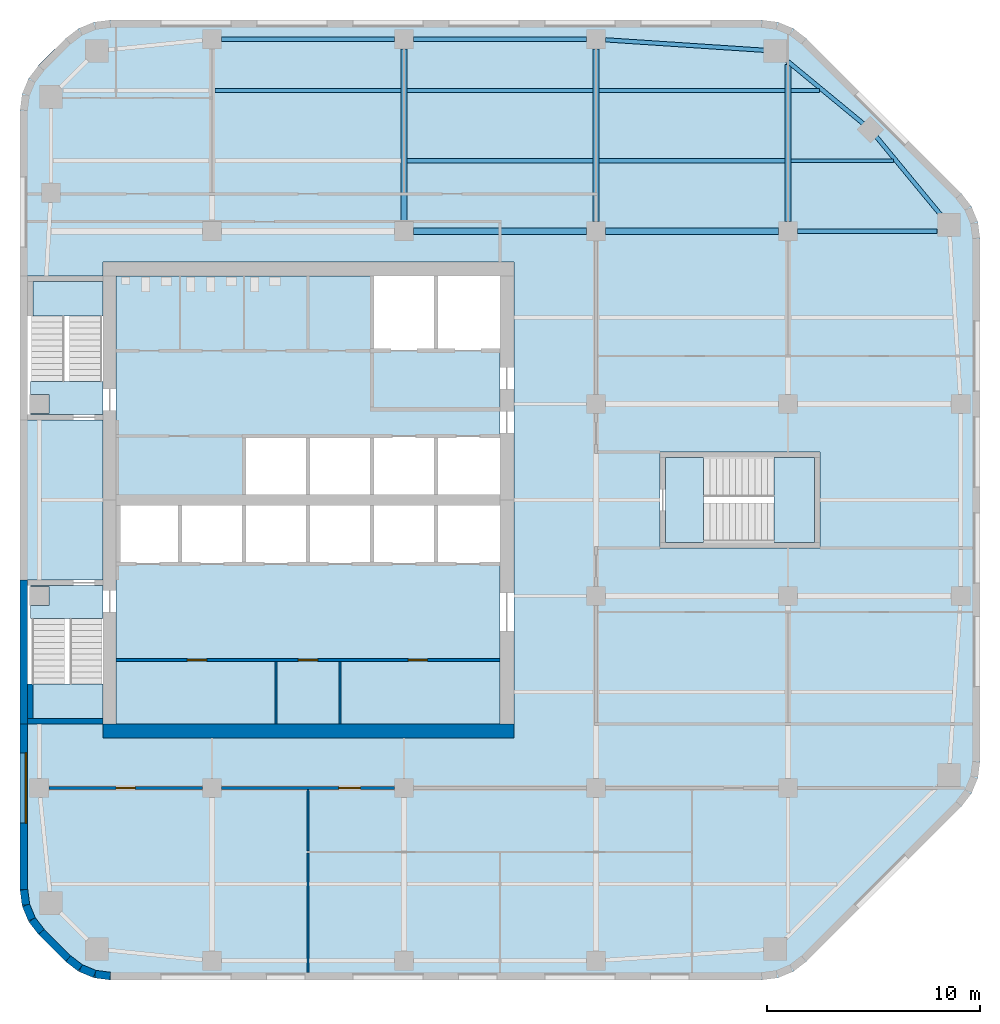
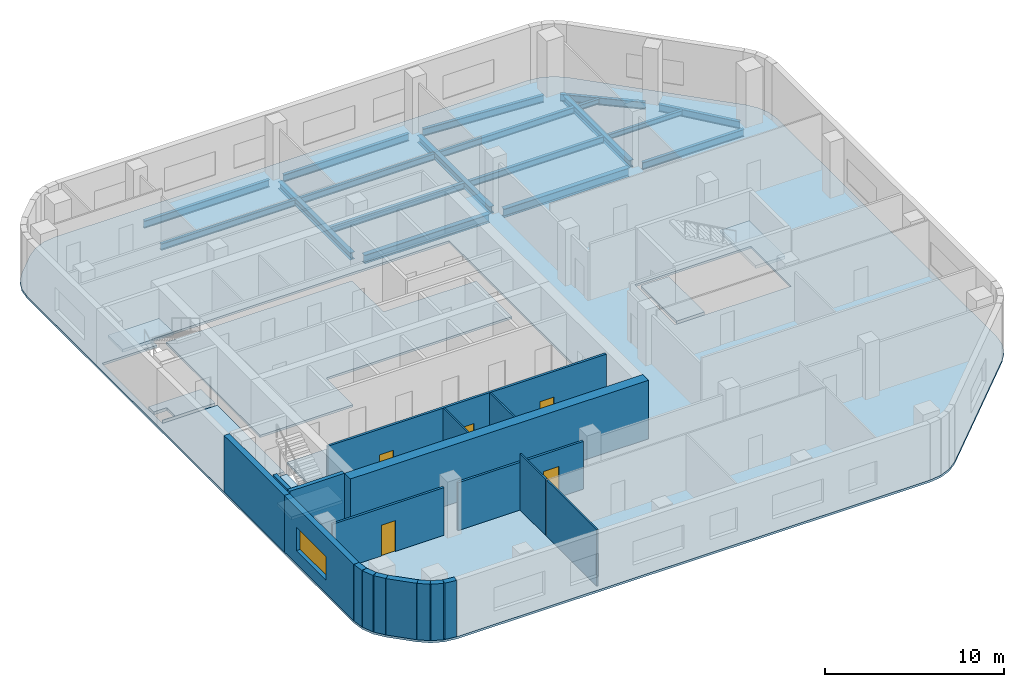
# One storey, part 2 of 8: 19 walls, 18 beams, 9 slabs, 5 doors, 1 window, 6 openings, 3 elements without a shape of their own.
"""IFC4 building model written with IfcOpenShell, lengths in metres."""

from ifc_helpers import new_model, si_unit, direction, frame, frame_2d, origin, origin_2d, place, context, subcontext, project, spatial, polyline, rectangle, i_section, outline, extrude, material, layer, layer_set, material_profile, profile_set, type_object, element, fill, aggregate, save


model = new_model("IFC4")

# Units and contexts
model_context = context("Model", 3, precision=1e-05, world=origin(), true_north=direction((0.0, 1.0)))
body_context = subcontext(model_context, "Body", "Model", "MODEL_VIEW")
ifc_project = project(units=[si_unit("LENGTHUNIT", "METRE"), si_unit("AREAUNIT", "SQUARE_METRE"), si_unit("VOLUMEUNIT", "CUBIC_METRE"), si_unit("PLANEANGLEUNIT", "RADIAN"), si_unit("MASSUNIT", "GRAM", prefix="KILO")], contexts=[model_context])

# Site, building, storey
site_placement = place(None, origin())
site = spatial("IfcSite", under=ifc_project, at=site_placement, CompositionType="ELEMENT")
building_placement = place(site_placement, origin())
building = spatial("IfcBuilding", under=site, at=building_placement, Name="Cinnabar Reach Civic Tower", CompositionType="ELEMENT")
storey_placement = place(building_placement, frame((0.0, 0.0, 161.0)))
storey = spatial("IfcBuildingStorey", under=building, at=storey_placement, Name="L38", CompositionType="ELEMENT", Elevation=161.0)

# Beams
ifc_material_1 = material(Name="Steel Q355B", Category="steel")
ifc_material_profile_1 = material_profile(ifc_material_1, i_section(OverallWidth=0.3, OverallDepth=0.488, WebThickness=0.011, FlangeThickness=0.018, FilletRadius=0.016, at=origin_2d()), Name="HM488x300x11x18")
ifc_profile_set_1 = profile_set([ifc_material_profile_1], Name="Steel Q355B")
beam_type_1 = type_object("IfcBeamType", Name="HM488x300x11x18 beam R 180", PredefinedType="BEAM", material=ifc_profile_set_1)
for number, where, z_axis, x_axis, name in (
    (1, (18.0, 44.552, -0.394), (0.0, 1.0, 0.0), (-1.0, 0.0, 0.0), "Girder T1 L38 6"),
    (2, (27.0, 44.552, -0.394), (0.0, 1.0, 0.0), (-1.0, 0.0, 0.0), "Girder T1 L38 11"),
):
    element("IfcBeam", number, at=place(storey_placement, frame(where, z_axis=z_axis, x_axis=x_axis)), inside=storey, type_object=beam_type_1, Name=name, PredefinedType="BEAM", context=body_context, shape_type="SweptSolid", body=[
        extrude(i_section(OverallWidth=0.3, OverallDepth=0.488, WebThickness=0.011, FlangeThickness=0.018, FilletRadius=0.016, at=origin_2d()), origin(), (0.0, 0.0, 1.0), 8.096),
    ])
beam_1_placement = place(storey_placement, frame((36.0, 44.552, -0.394), z_axis=(0.0, 1.0, 0.0), x_axis=(-1.0, 0.0, 0.0)))
element("IfcBeam", 3, at=beam_1_placement, inside=storey, type_object=beam_type_1, Name="Girder T1 L38 17", PredefinedType="BEAM", context=body_context, shape_type="SweptSolid", body=[
    extrude(i_section(OverallWidth=0.3, OverallDepth=0.488, WebThickness=0.011, FlangeThickness=0.018, FilletRadius=0.016, at=origin_2d()), origin(), (0.0, 0.0, 1.0), 7.3662),
])
ifc_material_profile_2 = material_profile(ifc_material_1, i_section(OverallWidth=0.3, OverallDepth=0.588, WebThickness=0.012, FlangeThickness=0.02, FilletRadius=0.016, at=origin_2d()), Name="HM588x300x12x20")
ifc_profile_set_2 = profile_set([ifc_material_profile_2], Name="Steel Q355B")
beam_type_2 = type_object("IfcBeamType", Name="HM588x300x12x20 beam R 180", PredefinedType="BEAM", material=ifc_profile_set_2)
for number, where, z_axis, x_axis, name in (
    (4, (18.452, 44.1, -0.444), (1.0, 0.0, 0.0), (0.0, 1.0, 0.0), "Girder T1 L38 14"),
    (5, (27.452, 44.1, -0.444), (1.0, 0.0, 0.0), (0.0, 1.0, 0.0), "Girder T1 L38 15"),
):
    element("IfcBeam", number, at=place(storey_placement, frame(where, z_axis=z_axis, x_axis=x_axis)), inside=storey, type_object=beam_type_2, Name=name, PredefinedType="BEAM", context=body_context, shape_type="SweptSolid", body=[
        extrude(i_section(OverallWidth=0.3, OverallDepth=0.588, WebThickness=0.012, FlangeThickness=0.02, FilletRadius=0.016, at=origin_2d()), origin(), (0.0, 0.0, 1.0), 8.096),
    ])
ifc_material_profile_3 = material_profile(ifc_material_1, i_section(OverallWidth=0.175, OverallDepth=0.35, WebThickness=0.007, FlangeThickness=0.011, FilletRadius=0.013, at=origin_2d()), Name="HN350x175x7x11")
ifc_profile_set_3 = profile_set([ifc_material_profile_3], Name="Steel Q355B")
beam_type_3 = type_object("IfcBeamType", Name="HN350x175x7x11 beam R 180", PredefinedType="BEAM", material=ifc_profile_set_3)
beam_2_placement = place(storey_placement, frame((36.152, 47.4, -0.325), z_axis=(1.0, 0.0, 0.0), x_axis=(0.0, 1.0, 0.0)))
element("IfcBeam", 6, at=beam_2_placement, inside=storey, type_object=beam_type_3, Name="Secondary beam T1 L38 20", PredefinedType="BEAM", context=body_context, shape_type="SweptSolid", body=[
    extrude(i_section(OverallWidth=0.175, OverallDepth=0.35, WebThickness=0.007, FlangeThickness=0.011, FilletRadius=0.013, at=origin_2d()), origin(), (0.0, 0.0, 1.0), 4.7866),
])
beam_3_placement = place(storey_placement, frame((36.152, 50.7, -0.325), z_axis=(1.0, 0.0, 0.0), x_axis=(0.0, 1.0, 0.0)))
element("IfcBeam", 7, at=beam_3_placement, inside=storey, type_object=beam_type_3, Name="Secondary beam T1 L38 25", PredefinedType="BEAM", context=body_context, shape_type="SweptSolid", body=[
    extrude(i_section(OverallWidth=0.175, OverallDepth=0.35, WebThickness=0.007, FlangeThickness=0.011, FilletRadius=0.013, at=origin_2d()), origin(), (0.0, 0.0, 1.0), 1.3249),
])
ifc_material_profile_4 = material_profile(ifc_material_1, i_section(OverallWidth=0.2, OverallDepth=0.45, WebThickness=0.009, FlangeThickness=0.014, FilletRadius=0.016, at=origin_2d()), Name="HN450x200x9x14")
ifc_profile_set_4 = profile_set([ifc_material_profile_4], Name="Steel Q355B")
beam_type_4 = type_object("IfcBeamType", Name="HN450x200x9x14 beam R 180", PredefinedType="BEAM", material=ifc_profile_set_4)
for number, where, z_axis, x_axis, name in (
    (8, (18.152, 47.4, -0.375), (1.0, 0.0, 0.0), (0.0, 1.0, 0.0), "Secondary beam T1 L38 18"),
    (9, (27.152, 47.4, -0.375), (1.0, 0.0, 0.0), (0.0, 1.0, 0.0), "Secondary beam T1 L38 19"),
    (10, (9.152, 50.7, -0.375), (1.0, 0.0, 0.0), (0.0, 1.0, 0.0), "Secondary beam T1 L38 22"),
    (11, (18.152, 50.7, -0.375), (1.0, 0.0, 0.0), (0.0, 1.0, 0.0), "Secondary beam T1 L38 23"),
    (12, (27.152, 50.7, -0.375), (1.0, 0.0, 0.0), (0.0, 1.0, 0.0), "Secondary beam T1 L38 24"),
):
    element("IfcBeam", number, at=place(storey_placement, frame(where, z_axis=z_axis, x_axis=x_axis)), inside=storey, type_object=beam_type_4, Name=name, PredefinedType="BEAM", context=body_context, shape_type="SweptSolid", body=[
        extrude(i_section(OverallWidth=0.2, OverallDepth=0.45, WebThickness=0.009, FlangeThickness=0.014, FilletRadius=0.016, at=origin_2d()), origin(), (0.0, 0.0, 1.0), 8.696),
    ])
ifc_material_profile_5 = material_profile(ifc_material_1, i_section(OverallWidth=0.2, OverallDepth=0.5, WebThickness=0.01, FlangeThickness=0.016, FilletRadius=0.016, at=origin_2d()), Name="HN500x200x10x16")
ifc_profile_set_5 = profile_set([ifc_material_profile_5], Name="Steel Q355B")
beam_type_5 = type_object("IfcBeamType", Name="HN500x200x10x16 beam R 180", PredefinedType="BEAM", material=ifc_profile_set_5)
for number, where, z_axis, x_axis, name in (
    (13, (43.1906, 44.8301, -0.4), (-0.63630880182, 0.771434448755, 0.0), (-0.771434448755, -0.63630880182, 0.0), "Edge beam T1 L38 9"),
    (14, (39.5598, 49.1142, -0.4), (-0.771434448755, 0.63630880182, 0.0), (-0.63630880182, -0.771434448755, 0.0), "Edge beam T1 L38 10"),
):
    element("IfcBeam", number, at=place(storey_placement, frame(where, z_axis=z_axis, x_axis=x_axis)), inside=storey, type_object=beam_type_5, Name=name, PredefinedType="BEAM", context=body_context, shape_type="SweptSolid", body=[
        extrude(i_section(OverallWidth=0.2, OverallDepth=0.5, WebThickness=0.01, FlangeThickness=0.016, FilletRadius=0.016, at=origin_2d()), origin(), (0.0, 0.0, 1.0), 4.8348),
    ])
beam_4_placement = place(storey_placement, frame((34.9661, 52.5754, -0.4), z_axis=(-0.99783894477, 0.065707231721, 0.0), x_axis=(-0.065707231721, -0.99783894477, 0.0)))
element("IfcBeam", 15, at=beam_4_placement, inside=storey, type_object=beam_type_5, Name="Edge beam T1 L38 11", PredefinedType="BEAM", context=body_context, shape_type="SweptSolid", body=[
    extrude(i_section(OverallWidth=0.2, OverallDepth=0.5, WebThickness=0.01, FlangeThickness=0.016, FilletRadius=0.016, at=origin_2d()), origin(), (0.0, 0.0, 1.0), 7.5304),
])
for number, where, z_axis, x_axis, name in (
    (16, (26.548, 53.1, -0.4), (-1.0, 0.0, 0.0), (0.0, -1.0, 0.0), "Edge beam T1 L38 12"),
    (17, (17.548, 53.1, -0.4), (-1.0, 0.0, 0.0), (0.0, -1.0, 0.0), "Edge beam T1 L38 13"),
):
    element("IfcBeam", number, at=place(storey_placement, frame(where, z_axis=z_axis, x_axis=x_axis)), inside=storey, type_object=beam_type_5, Name=name, PredefinedType="BEAM", context=body_context, shape_type="SweptSolid", body=[
        extrude(i_section(OverallWidth=0.2, OverallDepth=0.5, WebThickness=0.01, FlangeThickness=0.016, FilletRadius=0.016, at=origin_2d()), origin(), (0.0, 0.0, 1.0), 8.096),
    ])
beam_5_placement = place(storey_placement, frame((36.452, 44.1, -0.4), z_axis=(1.0, 0.0, 0.0), x_axis=(0.0, 1.0, 0.0)))
element("IfcBeam", 18, at=beam_5_placement, inside=storey, type_object=beam_type_5, Name="Girder T1 L38 16", PredefinedType="BEAM", context=body_context, shape_type="SweptSolid", body=[
    extrude(i_section(OverallWidth=0.2, OverallDepth=0.5, WebThickness=0.01, FlangeThickness=0.016, FilletRadius=0.016, at=origin_2d()), origin(), (0.0, 0.0, 1.0), 6.5429),
])

# Slab
ifc_material_2 = material(Name="Concrete C40", Category="concrete")
ifc_layer_1 = layer(ifc_material_2, 0.15)
ifc_layer_set_1 = layer_set([ifc_layer_1], Name="Composite floor slab 150 REI 150")
slab_type_1 = type_object("IfcSlabType", Name="Composite floor slab 150 REI 150", PredefinedType="FLOOR", material=ifc_layer_set_1)
slab_1_placement = place(storey_placement, frame((0.0, 0.0, -0.15)))
element("IfcSlab", 19, at=slab_1_placement, inside=storey, type_object=slab_type_1, Name="Composite floor slab 150 T1 L38", PredefinedType="FLOOR", context=body_context, shape_type="SweptSolid", body=[
    extrude(outline(polyline([(0.8787, 11.1213), (0.4019, 11.7426), (0.1022, 12.4662), (0.0, 13.2426), (0.0, 49.7574), (0.1022, 50.5338), (0.4019, 51.2574), (0.8787, 51.8787), (2.1213, 53.1213), (2.7426, 53.5981), (3.4662, 53.8978), (4.2426, 54.0), (34.7574, 54.0), (35.5338, 53.8978), (36.2574, 53.5981), (36.8787, 53.1213), (44.1213, 45.8787), (44.5981, 45.2574), (44.8978, 44.5338), (45.0, 43.7574), (45.0, 19.2426), (44.8978, 18.4662), (44.5981, 17.7426), (44.1213, 17.1213), (36.8787, 9.8787), (36.2574, 9.4019), (35.5338, 9.1022), (34.7574, 9.0), (4.2426, 9.0), (3.4662, 9.1022), (2.7426, 9.4019), (2.1213, 9.8787), (0.8787, 11.1213)]), holes=[polyline([(0.36, 21.0), (3.9, 21.0), (3.9, 20.35), (23.15, 20.35), (23.15, 42.65), (3.9, 42.65), (3.9, 42.0), (0.36, 42.0), (0.36, 35.25), (3.9, 35.25), (3.9, 27.75), (0.36, 27.75), (0.36, 21.0)]), polyline([(30.0, 33.75), (30.0, 29.25), (37.5, 29.25), (37.5, 33.75), (30.0, 33.75)])]), origin(), (0.0, 0.0, 1.0), 0.15),
])

# Stair, slabs
ifc_material_3 = material(Name="Concrete C40/50", Category="concrete")
stair_type = type_object("IfcStairType", Name="T1 Exit stair, half-turn", PredefinedType="HALF_TURN_STAIR", material=ifc_material_3)
stair_1_placement = place(storey_placement, origin())
stair_1 = element("IfcStair", 20, at=stair_1_placement, inside=storey, type_object=stair_type, Name="Stair T1-S1", PredefinedType="HALF_TURN_STAIR")
ifc_layer_2 = layer(ifc_material_3, 0.2)
ifc_layer_set_2 = layer_set([ifc_layer_2], Name="T1 Stair landing 200, Concrete C40/50")
slab_type_2 = type_object("IfcSlabType", Name="T1 Stair landing 200, Concrete C40/50", PredefinedType="LANDING", material=ifc_layer_set_2)
slab_2_placement = place(storey_placement, frame((0.0, 0.0, -0.2)))
slab_2 = element("IfcSlab", 21, at=slab_2_placement, type_object=slab_type_2, Name="T1-S1 landing 1", PredefinedType="LANDING", context=body_context, shape_type="SweptSolid", body=[
    extrude(outline(polyline([(0.5, 27.5), (3.9, 27.5), (3.9, 25.95), (0.5, 25.95), (0.5, 26.55), (1.35, 26.55), (1.35, 27.45), (0.5, 27.45), (0.5, 27.5)])), origin(), (0.0, 0.0, 1.0), 0.2),
])
slab_3_placement = place(storey_placement, frame((0.0, 0.0, 1.8)))
slab_3 = element("IfcSlab", 22, at=slab_3_placement, type_object=slab_type_2, Name="T1-S1 landing 2", PredefinedType="LANDING", context=body_context, shape_type="SweptSolid", body=[
    extrude(outline(polyline([(0.6, 21.25), (0.6, 22.87), (3.9, 22.87), (3.9, 21.25), (0.6, 21.25)])), origin(), (0.0, 0.0, 1.0), 0.2),
])
aggregate(stair_1, [slab_2, slab_3])

stair_2_placement = place(storey_placement, origin())
stair_2 = element("IfcStair", 23, at=stair_2_placement, inside=storey, type_object=stair_type, Name="Stair T1-S2", PredefinedType="HALF_TURN_STAIR")
slab_4_placement = place(storey_placement, frame((0.0, 0.0, -0.2)))
slab_4 = element("IfcSlab", 24, at=slab_4_placement, type_object=slab_type_2, Name="T1-S2 landing 1", PredefinedType="LANDING", context=body_context, shape_type="SweptSolid", body=[
    extrude(outline(polyline([(0.5, 37.05), (3.9, 37.05), (3.9, 35.5), (0.5, 35.5), (0.5, 35.55), (1.35, 35.55), (1.35, 36.45), (0.5, 36.45), (0.5, 37.05)])), origin(), (0.0, 0.0, 1.0), 0.2),
])
slab_5_placement = place(storey_placement, frame((0.0, 0.0, 1.8)))
slab_5 = element("IfcSlab", 25, at=slab_5_placement, type_object=slab_type_2, Name="T1-S2 landing 2", PredefinedType="LANDING", context=body_context, shape_type="SweptSolid", body=[
    extrude(outline(polyline([(0.6, 40.13), (0.6, 41.75), (3.9, 41.75), (3.9, 40.13), (0.6, 40.13)])), origin(), (0.0, 0.0, 1.0), 0.2),
])
aggregate(stair_2, [slab_4, slab_5])

stair_3_placement = place(storey_placement, origin())
stair_3 = element("IfcStair", 26, at=stair_3_placement, inside=storey, type_object=stair_type, Name="Stair T1-S3", PredefinedType="HALF_TURN_STAIR")
slab_6_placement = place(storey_placement, frame((0.0, 0.0, -0.2)))
slab_6 = element("IfcSlab", 27, at=slab_6_placement, type_object=slab_type_2, Name="T1-S3 landing 1", PredefinedType="LANDING", context=body_context, shape_type="SweptSolid", body=[
    extrude(outline(polyline([(30.25, 29.5), (32.05, 29.5), (32.05, 33.5), (30.25, 33.5), (30.25, 29.5)])), origin(), (0.0, 0.0, 1.0), 0.2),
])
slab_7_placement = place(storey_placement, frame((0.0, 0.0, 1.8)))
slab_7 = element("IfcSlab", 28, at=slab_7_placement, type_object=slab_type_2, Name="T1-S3 landing 2", PredefinedType="LANDING", context=body_context, shape_type="SweptSolid", body=[
    extrude(outline(polyline([(35.35, 29.5), (37.25, 29.5), (37.25, 33.5), (35.35, 33.5), (35.35, 29.5)])), origin(), (0.0, 0.0, 1.0), 0.2),
])
aggregate(stair_3, [slab_6, slab_7])

# Slabs
ifc_layer_3 = layer(ifc_material_3, 0.15)
ifc_layer_set_3 = layer_set([ifc_layer_3], Name="T1 core floor slab 150")
slab_type_3 = type_object("IfcSlabType", Name="T1 core floor slab 150", PredefinedType="FLOOR", material=ifc_layer_set_3)
slab_8_placement = place(storey_placement, frame((0.0, 0.0, -0.15)))
element("IfcSlab", 29, at=slab_8_placement, inside=storey, type_object=slab_type_3, Name="Core floor slab L38", PredefinedType="FLOOR", context=body_context, shape_type="SweptSolid", body=[
    extrude(outline(polyline([(22.5, 21.0), (4.5, 21.0), (4.5, 28.5), (7.5, 28.5), (10.5, 28.5), (13.5, 28.5), (16.5, 28.5), (19.5, 28.5), (22.5, 28.5), (22.5, 21.0)])), origin(), (0.0, 0.0, 1.0), 0.15),
])
slab_9_placement = place(storey_placement, frame((0.0, 0.0, -0.15)))
element("IfcSlab", 30, at=slab_9_placement, inside=storey, type_object=slab_type_3, Name="Core floor slab L38", PredefinedType="FLOOR", context=body_context, shape_type="SweptSolid", body=[
    extrude(outline(polyline([(22.5, 34.5), (19.5, 34.5), (16.5, 34.5), (13.5, 34.5), (10.5, 34.5), (10.5, 31.5), (7.5, 31.5), (4.5, 31.5), (4.5, 42.0), (16.5, 42.0), (16.5, 38.5), (19.5, 38.5), (22.5, 38.5), (22.5, 34.5)])), origin(), (0.0, 0.0, 1.0), 0.15),
])

# Walls
ifc_material_4 = material(Name="Facing brick with insulated backing", Category="masonry")
ifc_layer_4 = layer(ifc_material_4, 0.36)
ifc_layer_set_4 = layer_set([ifc_layer_4], Name="Brick corner wall")
wall_type_1 = type_object("IfcWallType", Name="Brick corner wall", PredefinedType="STANDARD", material=ifc_layer_set_4)
for number, where, z_axis, x_axis, name in (
    (31, (0.183, 13.2314, 0.0), (0.0, 0.0, 1.0), (0.13055608231, -0.99144092581, 0.0), "Brick corner wall"),
    (32, (0.2819, 12.5027, 0.0), (0.0, 0.0, 1.0), (0.382702709855, -0.923871547278, 0.0), "Brick corner wall"),
):
    element("IfcWall", number, at=place(storey_placement, frame(where, z_axis=z_axis, x_axis=x_axis)), inside=storey, type_object=wall_type_1, Name=name, PredefinedType="STANDARD", context=body_context, shape_type="SweptSolid", body=[
        extrude(rectangle(XDim=0.7131, YDim=0.36, at=frame_2d((0.3565, 0.0))), origin(), (0.0, 0.0, 1.0), 3.85),
    ])
for number, where, z_axis, x_axis, name in (
    (33, (0.566, 11.8245, 0.0), (0.0, 0.0, 1.0), (0.608802368033, -0.793321924995, 0.0), "Brick corner wall"),
    (34, (2.2587, 10.0002, 0.0), (0.0, 0.0, 1.0), (0.793321924995, -0.608802368033, 0.0), "Brick corner wall"),
):
    element("IfcWall", number, at=place(storey_placement, frame(where, z_axis=z_axis, x_axis=x_axis)), inside=storey, type_object=wall_type_1, Name=name, PredefinedType="STANDARD", context=body_context, shape_type="SweptSolid", body=[
        extrude(rectangle(XDim=0.7132, YDim=0.36, at=frame_2d((0.3566, 0.0))), origin(), (0.0, 0.0, 1.0), 3.85),
    ])
for number, where, z_axis, x_axis, name in (
    (35, (2.8439, 9.5548, 0.0), (0.0, 0.0, 1.0), (0.923871547278, -0.382702709855, 0.0), "Brick corner wall"),
    (36, (3.5244, 9.2761, 0.0), (0.0, 0.0, 1.0), (0.99144092581, -0.13055608231, 0.0), "Brick corner wall"),
):
    element("IfcWall", number, at=place(storey_placement, frame(where, z_axis=z_axis, x_axis=x_axis)), inside=storey, type_object=wall_type_1, Name=name, PredefinedType="STANDARD", context=body_context, shape_type="SweptSolid", body=[
        extrude(rectangle(XDim=0.7131, YDim=0.36, at=frame_2d((0.3565, 0.0))), origin(), (0.0, 0.0, 1.0), 3.85),
    ])
ifc_layer_5 = layer(ifc_material_4, 0.36)
ifc_layer_set_5 = layer_set([ifc_layer_5], Name="Brick pier and spandrel wall")
wall_type_2 = type_object("IfcWallType", Name="Brick pier and spandrel wall", PredefinedType="STANDARD", material=ifc_layer_set_5)
wall_1_placement = place(storey_placement, frame((0.18, 27.75, 0.0), z_axis=(0.0, 0.0, 1.0), x_axis=(0.0, -1.0, 0.0)))
element("IfcWall", 37, at=wall_1_placement, inside=storey, type_object=wall_type_2, Name="Brick facade wall", PredefinedType="STANDARD", context=body_context, shape_type="SweptSolid", body=[
    extrude(rectangle(XDim=6.75, YDim=0.36, at=frame_2d((3.375, 0.0))), origin(), (0.0, 0.0, 1.0), 3.85),
])

# Wall, opening, window
wall_2_placement = place(storey_placement, frame((0.18, 21.0, 0.0), z_axis=(0.0, 0.0, 1.0), x_axis=(0.0, -1.0, 0.0)))
wall_2 = element("IfcWall", 38, at=wall_2_placement, inside=storey, type_object=wall_type_2, Name="Brick facade wall", PredefinedType="STANDARD", context=body_context, shape_type="SweptSolid", body=[
    extrude(rectangle(XDim=7.7574, YDim=0.36, at=frame_2d((3.8787, 0.0))), origin(), (0.0, 0.0, 1.0), 3.85),
])
opening_1_placement = place(wall_2_placement, frame((1.35, 0.0, 0.9)))
opening_1 = element("IfcOpeningElement", 39, at=opening_1_placement, cuts=wall_2, Name="Opening W1800", PredefinedType="OPENING", context=body_context, shape_type="SweptSolid", body=[
    extrude(rectangle(XDim=3.3, YDim=1.6, at=frame_2d((1.65, 0.8))), frame((0.0, 0.19, 0.0), z_axis=(0.0, -1.0, 0.0), x_axis=(1.0, 0.0, 0.0)), (0.0, 0.0, 1.0), 0.38),
])
ifc_material_5 = material(Name="Clear double glazing in aluminium frame", Category="aluminium")
window_type = type_object("IfcWindowType", Name="Deep-set window A", PartitioningType="SINGLE_PANEL", PredefinedType="WINDOW", material=ifc_material_5)
window_placement = place(opening_1_placement, origin())
window = element("IfcWindow", 40, at=window_placement, inside=storey, type_object=window_type, Name="Window west face", OverallHeight=1.6, OverallWidth=3.3, PartitioningType="SINGLE_PANEL", PredefinedType="WINDOW", context=body_context, shape_type="SweptSolid", body=[
    extrude(rectangle(XDim=3.3, YDim=1.6, at=frame_2d((1.65, 0.8))), frame((0.0, 0.13, 0.0), z_axis=(0.0, -1.0, 0.0), x_axis=(1.0, 0.0, 0.0)), (0.0, 0.0, 1.0), 0.06),
])
fill(opening_1, window)

# Walls
wall_3_placement = place(storey_placement, frame((1.006, 11.2486, 0.0), z_axis=(0.0, 0.0, 1.0), x_axis=(0.707106781187, -0.707106781187, 0.0)))
element("IfcWall", 41, at=wall_3_placement, inside=storey, type_object=wall_type_2, Name="Brick facade wall", PredefinedType="STANDARD", context=body_context, shape_type="SweptSolid", body=[
    extrude(rectangle(XDim=1.7573, YDim=0.36, at=frame_2d((0.8787, 0.0))), origin(), (0.0, 0.0, 1.0), 3.85),
])
ifc_material_6 = material(Name="Concrete C70", Category="concrete")
ifc_layer_6 = layer(ifc_material_6, 0.65)
ifc_layer_set_6 = layer_set([ifc_layer_6], Name="Core wall 650 EI 180")
wall_type_3 = type_object("IfcWallType", Name="Core wall 650 EI 180", PredefinedType="SOLIDWALL", material=ifc_layer_set_6)
wall_4_placement = place(storey_placement, frame((3.9, 20.675, 0.0), z_axis=(0.0, 0.0, 1.0), x_axis=(1.0, 0.0, 0.0)))
element("IfcWall", 42, at=wall_4_placement, inside=storey, type_object=wall_type_3, Name="Core wall T1 L38 S", PredefinedType="SOLIDWALL", context=body_context, shape_type="SweptSolid", body=[
    extrude(rectangle(XDim=19.25, YDim=0.65, at=frame_2d((9.625, 0.0))), origin(), (0.0, 0.0, 1.0), 4.0),
])

# Wall, opening, door
ifc_material_7 = material(Name="Gypsum board on steel studs, double layer", Category="steel")
ifc_layer_7 = layer(ifc_material_7, 0.15)
ifc_layer_set_7 = layer_set([ifc_layer_7], Name="Corridor wall 150 T1")
wall_type_4 = type_object("IfcWallType", Name="Corridor wall 150 T1", PredefinedType="PARTITIONING", material=ifc_layer_set_7)
wall_5_placement = place(storey_placement, frame((1.35, 18.0, 0.0), z_axis=(0.0, 0.0, 1.0), x_axis=(1.0, 0.0, 0.0)))
wall_5 = element("IfcWall", 43, at=wall_5_placement, inside=storey, type_object=wall_type_4, Name="Corridor wall 18", PredefinedType="PARTITIONING", context=body_context, shape_type="SweptSolid", body=[
    extrude(rectangle(XDim=7.2, YDim=0.15, at=frame_2d((3.6, 0.0))), origin(), (0.0, 0.0, 1.0), 3.262),
])
opening_2_placement = place(wall_5_placement, frame((3.15, 0.0, 0.0)))
opening_2 = element("IfcOpeningElement", 44, at=opening_2_placement, cuts=wall_5, Name="Opening D4574", PredefinedType="OPENING", context=body_context, shape_type="SweptSolid", body=[
    extrude(rectangle(XDim=0.9, YDim=2.1, at=frame_2d((0.45, 1.05))), frame((0.0, 0.085, 0.0), z_axis=(0.0, -1.0, 0.0), x_axis=(1.0, 0.0, 0.0)), (0.0, 0.0, 1.0), 0.17),
])
ifc_material_8 = material(Name="Timber door leaf in steel frame", Category="steel")
door_type_1 = type_object("IfcDoorType", Name="Single swing door 900 x 2100 corridor T1", OperationType="SINGLE_SWING_LEFT", PredefinedType="DOOR", material=ifc_material_8)
door_1_placement = place(opening_2_placement, frame((0.9, 0.0, 0.0), z_axis=(0.0, 0.0, 1.0), x_axis=(-1.0, 0.0, 0.0)))
door_1 = element("IfcDoor", 45, at=door_1_placement, inside=storey, type_object=door_type_1, Name="Door D4574", OperationType="SINGLE_SWING_LEFT", OverallHeight=2.1, OverallWidth=0.9, PredefinedType="DOOR", context=body_context, shape_type="SweptSolid", body=[
    extrude(rectangle(XDim=0.9, YDim=2.1, at=frame_2d((0.45, 1.05))), frame((0.0, 0.025, 0.0), z_axis=(0.0, -1.0, 0.0), x_axis=(1.0, 0.0, 0.0)), (0.0, 0.0, 1.0), 0.05),
])
fill(opening_2, door_1)

wall_6_placement = place(storey_placement, frame((9.45, 18.0, 0.0), z_axis=(0.0, 0.0, 1.0), x_axis=(1.0, 0.0, 0.0)))
wall_6 = element("IfcWall", 46, at=wall_6_placement, inside=storey, type_object=wall_type_4, Name="Corridor wall 19", PredefinedType="PARTITIONING", context=body_context, shape_type="SweptSolid", body=[
    extrude(rectangle(XDim=8.1, YDim=0.15, at=frame_2d((4.05, 0.0))), origin(), (0.0, 0.0, 1.0), 3.262),
])
opening_3_placement = place(wall_6_placement, frame((5.5, 0.0, 0.0)))
opening_3 = element("IfcOpeningElement", 47, at=opening_3_placement, cuts=wall_6, Name="Opening D4575", PredefinedType="OPENING", context=body_context, shape_type="SweptSolid", body=[
    extrude(rectangle(XDim=1.0, YDim=2.1, at=frame_2d((0.5, 1.05))), frame((0.0, 0.085, 0.0), z_axis=(0.0, -1.0, 0.0), x_axis=(1.0, 0.0, 0.0)), (0.0, 0.0, 1.0), 0.17),
])
door_type_2 = type_object("IfcDoorType", Name="Tenancy entrance door 1000 x 2100 T1", OperationType="SINGLE_SWING_LEFT", PredefinedType="DOOR", material=ifc_material_8)
door_2_placement = place(opening_3_placement, frame((1.0, 0.0, 0.0), z_axis=(0.0, 0.0, 1.0), x_axis=(-1.0, 0.0, 0.0)))
door_2 = element("IfcDoor", 48, at=door_2_placement, inside=storey, type_object=door_type_2, Name="Door D4575", OperationType="SINGLE_SWING_RIGHT", OverallHeight=2.1, OverallWidth=1.0, PredefinedType="DOOR", context=body_context, shape_type="SweptSolid", body=[
    extrude(rectangle(XDim=1.0, YDim=2.1, at=frame_2d((0.5, 1.05))), frame((0.0, 0.025, 0.0), z_axis=(0.0, -1.0, 0.0), x_axis=(1.0, 0.0, 0.0)), (0.0, 0.0, 1.0), 0.05),
])
fill(opening_3, door_2)

# Wall, openings, doors
wall_7_placement = place(storey_placement, frame((4.5, 24.0, 0.0), z_axis=(0.0, 0.0, 1.0), x_axis=(1.0, 0.0, 0.0)))
wall_7 = element("IfcWall", 49, at=wall_7_placement, inside=storey, type_object=wall_type_4, Name="Corridor wall 26", PredefinedType="PARTITIONING", context=body_context, shape_type="SweptSolid", body=[
    extrude(rectangle(XDim=18.0, YDim=0.15, at=frame_2d((9.0, 0.0))), origin(), (0.0, 0.0, 1.0), 3.85),
])
opening_4_placement = place(wall_7_placement, frame((3.35, 0.0, 0.0)))
opening_4 = element("IfcOpeningElement", 50, at=opening_4_placement, cuts=wall_7, Name="Opening D4560", PredefinedType="OPENING", context=body_context, shape_type="SweptSolid", body=[
    extrude(rectangle(XDim=0.9, YDim=2.1, at=frame_2d((0.45, 1.05))), frame((0.0, 0.085, 0.0), z_axis=(0.0, -1.0, 0.0), x_axis=(1.0, 0.0, 0.0)), (0.0, 0.0, 1.0), 0.17),
])
opening_5_placement = place(wall_7_placement, frame((8.55, 0.0, 0.0)))
opening_5 = element("IfcOpeningElement", 51, at=opening_5_placement, cuts=wall_7, Name="Opening D4561", PredefinedType="OPENING", context=body_context, shape_type="SweptSolid", body=[
    extrude(rectangle(XDim=0.9, YDim=2.1, at=frame_2d((0.45, 1.05))), frame((0.0, 0.085, 0.0), z_axis=(0.0, -1.0, 0.0), x_axis=(1.0, 0.0, 0.0)), (0.0, 0.0, 1.0), 0.17),
])
opening_6_placement = place(wall_7_placement, frame((13.7, 0.0, 0.0)))
opening_6 = element("IfcOpeningElement", 52, at=opening_6_placement, cuts=wall_7, Name="Opening D4562", PredefinedType="OPENING", context=body_context, shape_type="SweptSolid", body=[
    extrude(rectangle(XDim=0.9, YDim=2.1, at=frame_2d((0.45, 1.05))), frame((0.0, 0.085, 0.0), z_axis=(0.0, -1.0, 0.0), x_axis=(1.0, 0.0, 0.0)), (0.0, 0.0, 1.0), 0.17),
])
door_3_placement = place(opening_4_placement, frame((0.9, 0.0, 0.0), z_axis=(0.0, 0.0, 1.0), x_axis=(-1.0, 0.0, 0.0)))
door_3 = element("IfcDoor", 53, at=door_3_placement, inside=storey, type_object=door_type_1, Name="Door D4560", OperationType="SINGLE_SWING_LEFT", OverallHeight=2.1, OverallWidth=0.9, PredefinedType="DOOR", context=body_context, shape_type="SweptSolid", body=[
    extrude(rectangle(XDim=0.9, YDim=2.1, at=frame_2d((0.45, 1.05))), frame((0.0, 0.025, 0.0), z_axis=(0.0, -1.0, 0.0), x_axis=(1.0, 0.0, 0.0)), (0.0, 0.0, 1.0), 0.05),
])
fill(opening_4, door_3)
door_4_placement = place(opening_5_placement, frame((0.9, 0.0, 0.0), z_axis=(0.0, 0.0, 1.0), x_axis=(-1.0, 0.0, 0.0)))
door_4 = element("IfcDoor", 54, at=door_4_placement, inside=storey, type_object=door_type_1, Name="Door D4561", OperationType="SINGLE_SWING_RIGHT", OverallHeight=2.1, OverallWidth=0.9, PredefinedType="DOOR", context=body_context, shape_type="SweptSolid", body=[
    extrude(rectangle(XDim=0.9, YDim=2.1, at=frame_2d((0.45, 1.05))), frame((0.0, 0.025, 0.0), z_axis=(0.0, -1.0, 0.0), x_axis=(1.0, 0.0, 0.0)), (0.0, 0.0, 1.0), 0.05),
])
fill(opening_5, door_4)
door_5_placement = place(opening_6_placement, frame((0.9, 0.0, 0.0), z_axis=(0.0, 0.0, 1.0), x_axis=(-1.0, 0.0, 0.0)))
door_5 = element("IfcDoor", 55, at=door_5_placement, inside=storey, type_object=door_type_1, Name="Door D4562", OperationType="SINGLE_SWING_LEFT", OverallHeight=2.1, OverallWidth=0.9, PredefinedType="DOOR", context=body_context, shape_type="SweptSolid", body=[
    extrude(rectangle(XDim=0.9, YDim=2.1, at=frame_2d((0.45, 1.05))), frame((0.0, 0.025, 0.0), z_axis=(0.0, -1.0, 0.0), x_axis=(1.0, 0.0, 0.0)), (0.0, 0.0, 1.0), 0.05),
])
fill(opening_6, door_5)

# Walls
ifc_material_9 = material(Name="Gypsum board on steel studs", Category="steel")
ifc_layer_8 = layer(ifc_material_9, 0.1)
ifc_layer_set_8 = layer_set([ifc_layer_8], Name="Partition wall 100 T1")
wall_type_5 = type_object("IfcWallType", Name="Partition wall 100 T1", PredefinedType="PARTITIONING", material=ifc_layer_set_8)
wall_8_placement = place(storey_placement, frame((13.5, 15.05, 0.0), z_axis=(0.0, 0.0, 1.0), x_axis=(0.0, 1.0, 0.0)))
element("IfcWall", 56, at=wall_8_placement, inside=storey, type_object=wall_type_5, Name="Partition wall 48", PredefinedType="PARTITIONING", context=body_context, shape_type="SweptSolid", body=[
    extrude(rectangle(XDim=2.875, YDim=0.1, at=frame_2d((1.4375, 0.0))), origin(), (0.0, 0.0, 1.0), 3.85),
])
wall_9_placement = place(storey_placement, frame((13.5, 9.36, 0.0), z_axis=(0.0, 0.0, 1.0), x_axis=(0.0, 1.0, 0.0)))
element("IfcWall", 57, at=wall_9_placement, inside=storey, type_object=wall_type_5, Name="Partition wall 49", PredefinedType="PARTITIONING", context=body_context, shape_type="SweptSolid", body=[
    extrude(rectangle(XDim=5.59, YDim=0.1, at=frame_2d((2.795, 0.0))), origin(), (0.0, 0.0, 1.0), 3.85),
])
for number, where, z_axis, x_axis, name in (
    (58, (12.0, 21.0, 0.0), (0.0, 0.0, 1.0), (0.0, 1.0, 0.0), "Partition wall 62"),
    (59, (15.0, 21.0, 0.0), (0.0, 0.0, 1.0), (0.0, 1.0, 0.0), "Partition wall 63"),
):
    element("IfcWall", number, at=place(storey_placement, frame(where, z_axis=z_axis, x_axis=x_axis)), inside=storey, type_object=wall_type_5, Name=name, PredefinedType="PARTITIONING", context=body_context, shape_type="SweptSolid", body=[
        extrude(rectangle(XDim=2.925, YDim=0.1, at=frame_2d((1.4625, 0.0))), origin(), (0.0, 0.0, 1.0), 3.85),
    ])
ifc_material_10 = material(Name="Concrete C60", Category="concrete")
ifc_layer_9 = layer(ifc_material_10, 0.25)
ifc_layer_set_9 = layer_set([ifc_layer_9], Name="Stair shaft wall 250 EI 120")
wall_type_6 = type_object("IfcWallType", Name="Stair shaft wall 250 EI 120", PredefinedType="SOLIDWALL", material=ifc_layer_set_9)
wall_10_placement = place(storey_placement, frame((0.36, 21.125, 0.0), z_axis=(0.0, 0.0, 1.0), x_axis=(1.0, 0.0, 0.0)))
element("IfcWall", 60, at=wall_10_placement, inside=storey, type_object=wall_type_6, Name="Stair shaft wall T1-S1 L38", PredefinedType="SOLIDWALL", context=body_context, shape_type="SweptSolid", body=[
    extrude(rectangle(XDim=3.54, YDim=0.25, at=frame_2d((1.77, 0.0))), origin(), (0.0, 0.0, 1.0), 4.0),
])
ifc_layer_10 = layer(ifc_material_3, 0.24)
ifc_layer_set_10 = layer_set([ifc_layer_10], Name="T1 landing bearer wall 240")
wall_type_7 = type_object("IfcWallType", Name="T1 landing bearer wall 240", PredefinedType="STANDARD", material=ifc_layer_set_10)
wall_11_placement = place(storey_placement, frame((0.48, 21.25, 0.0), z_axis=(0.0, 0.0, 1.0), x_axis=(0.0, 1.0, 0.0)))
element("IfcWall", 61, at=wall_11_placement, inside=storey, type_object=wall_type_7, Name="T1-S1 landing bearer wall", PredefinedType="STANDARD", context=body_context, shape_type="SweptSolid", body=[
    extrude(rectangle(XDim=1.62, YDim=0.24, at=frame_2d((0.81, 0.0))), origin(), (0.0, 0.0, 1.0), 4.0),
])

save(model, "model.ifc")
